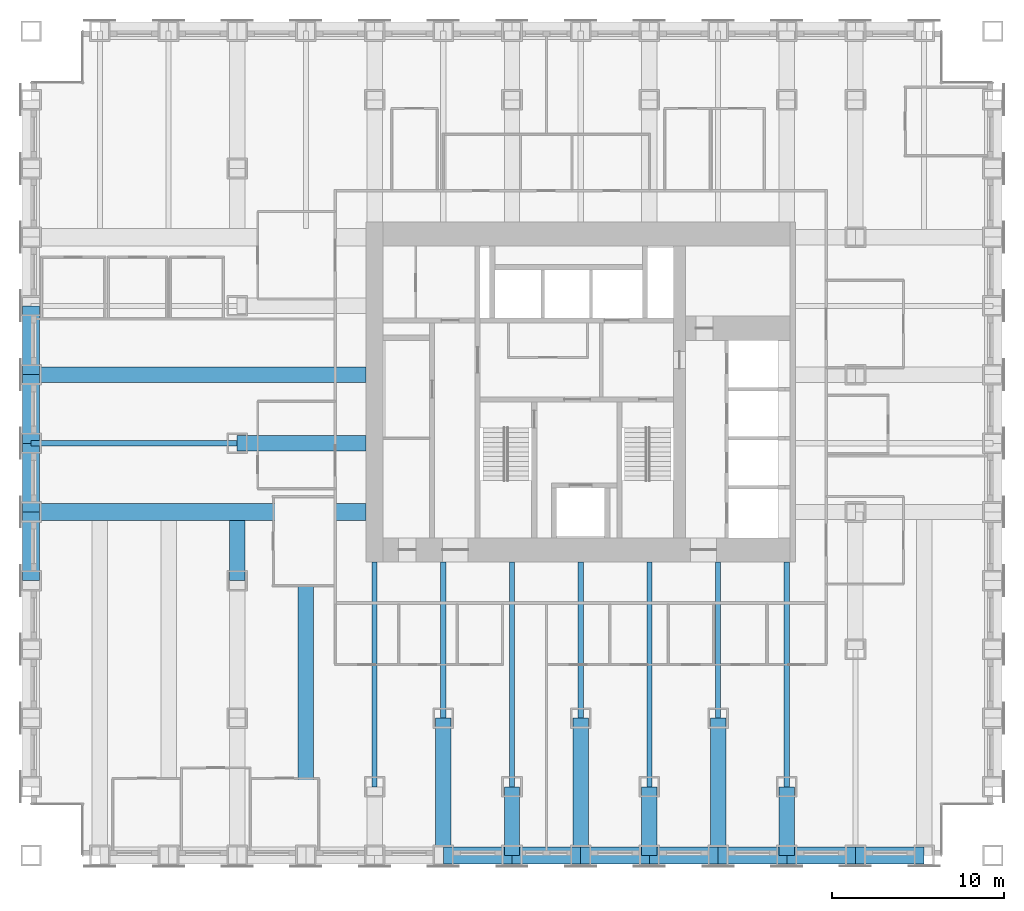
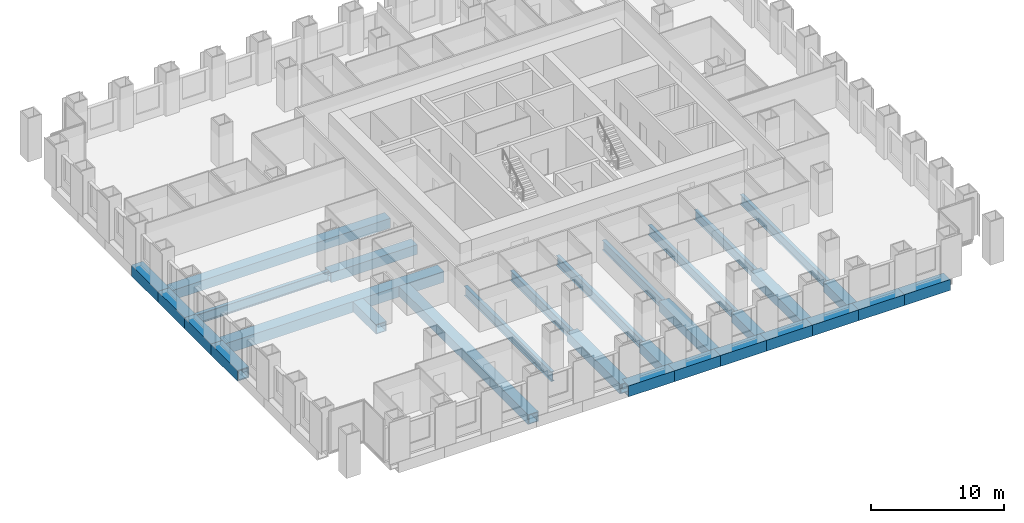
# One storey, part 3 of 14: 30 beams.
"""IFC4 building model written with IfcOpenShell, lengths in metres."""

from ifc_helpers import new_model, si_unit, direction, frame, origin, origin_2d, place, context, subcontext, project, spatial, hollow_rectangle, i_section, extrude, material, material_profile, profile_set, type_object, element, save


model = new_model("IFC4")

# Units and contexts
model_context = context("Model", 3, precision=1e-05, world=origin(), true_north=direction((0.0, 1.0)))
body_context = subcontext(model_context, "Body", "Model", "MODEL_VIEW")
ifc_project = project(units=[si_unit("LENGTHUNIT", "METRE"), si_unit("AREAUNIT", "SQUARE_METRE"), si_unit("VOLUMEUNIT", "CUBIC_METRE"), si_unit("PLANEANGLEUNIT", "RADIAN"), si_unit("MASSUNIT", "GRAM", prefix="KILO")], contexts=[model_context])

# Site, building, storey
site_placement = place(None, origin())
site = spatial("IfcSite", under=ifc_project, at=site_placement, CompositionType="ELEMENT")
building_placement = place(site_placement, origin())
building = spatial("IfcBuilding", under=site, at=building_placement, Name="Rimbunsela Tower", CompositionType="ELEMENT")
storey_placement = place(building_placement, frame((0.0, 0.0, 63.0)))
storey = spatial("IfcBuildingStorey", under=building, at=storey_placement, Name="L15", CompositionType="ELEMENT", Elevation=63.0)

# Beams
ifc_material_1 = material(Name="Steel BJ 55 (fy 410 MPa)", Category="steel")
ifc_material_profile_1 = material_profile(ifc_material_1, hollow_rectangle(XDim=1.0, YDim=1.0, WallThickness=0.10009765625, at=origin_2d()), Name="BOX 1000x1000x100")
ifc_profile_set_1 = profile_set([ifc_material_profile_1], Name="Steel BJ 55 (fy 410 MPa)")
beam_type_1 = type_object("IfcBeamType", Name="Beam BOX 1000x1000x100", PredefinedType="BEAM", material=ifc_profile_set_1)
for number, where, z_axis, x_axis, name in (
    (1, (-2.0, 16.0, -0.64990234375), (0.0, 1.0, 0.0), (-1.0, 0.0, 0.0), "Beam B3 L15"),
    (2, (-2.0, 20.0, -0.64990234375), (0.0, 1.0, 0.0), (-1.0, 0.0, 0.0), "Beam B3 L15"),
):
    element("IfcBeam", number, at=place(storey_placement, frame(where, z_axis=z_axis, x_axis=x_axis)), inside=storey, type_object=beam_type_1, Name=name, PredefinedType="BEAM", context=body_context, shape_type="SweptSolid", body=[
        extrude(hollow_rectangle(XDim=1.0, YDim=1.0, WallThickness=0.10009765625, at=origin_2d()), origin(), (0.0, 0.0, 1.0), 4.0),
    ])
beam_1_placement = place(storey_placement, frame((-2.0, 20.0, -0.64990234375), z_axis=(1.0, 0.0, 0.0), x_axis=(0.0, 1.0, 0.0)))
element("IfcBeam", 3, at=beam_1_placement, inside=storey, type_object=beam_type_1, Name="Beam B3 L15", PredefinedType="BEAM", context=body_context, shape_type="SweptSolid", body=[
    extrude(hollow_rectangle(XDim=1.0, YDim=1.0, WallThickness=0.10009765625, at=origin_2d()), origin(), (0.0, 0.0, 1.0), 19.5),
])
for number, where, z_axis, x_axis, name in (
    (4, (-2.0, 24.0, -0.64990234375), (0.0, 1.0, 0.0), (-1.0, 0.0, 0.0), "Beam B3 L15"),
    (5, (-2.0, 28.0, -0.64990234375), (0.0, 1.0, 0.0), (-1.0, 0.0, 0.0), "Beam B3 L15"),
    (6, (22.0, 0.0, -0.64990234375), (1.0, 0.0, 0.0), (0.0, 1.0, 0.0), "Beam B3 L15"),
    (7, (26.0, 0.0, -0.64990234375), (1.0, 0.0, 0.0), (0.0, 1.0, 0.0), "Beam B3 L15"),
    (8, (30.0, 0.0, -0.64990234375), (1.0, 0.0, 0.0), (0.0, 1.0, 0.0), "Beam B3 L15"),
    (9, (34.0, 0.0, -0.64990234375), (1.0, 0.0, 0.0), (0.0, 1.0, 0.0), "Beam B3 L15"),
    (10, (38.0, 0.0, -0.64990234375), (1.0, 0.0, 0.0), (0.0, 1.0, 0.0), "Beam B3 L15"),
    (11, (42.0, 0.0, -0.64990234375), (1.0, 0.0, 0.0), (0.0, 1.0, 0.0), "Beam B3 L15"),
    (12, (46.0, 0.0, -0.64990234375), (1.0, 0.0, 0.0), (0.0, 1.0, 0.0), "Beam B3 L15"),
):
    element("IfcBeam", number, at=place(storey_placement, frame(where, z_axis=z_axis, x_axis=x_axis)), inside=storey, type_object=beam_type_1, Name=name, PredefinedType="BEAM", context=body_context, shape_type="SweptSolid", body=[
        extrude(hollow_rectangle(XDim=1.0, YDim=1.0, WallThickness=0.10009765625, at=origin_2d()), origin(), (0.0, 0.0, 1.0), 4.0),
    ])
ifc_material_2 = material(Name="Steel BJ 55 (fy 410 MPa)", Category="steel")
ifc_material_profile_2 = material_profile(ifc_material_2, hollow_rectangle(XDim=0.89990234375, YDim=0.89990234375, WallThickness=0.06005859375, at=origin_2d()), Name="BOX 900x900x60")
ifc_profile_set_2 = profile_set([ifc_material_profile_2], Name="Steel BJ 55 (fy 410 MPa)")
beam_type_2 = type_object("IfcBeamType", Name="Beam BOX 900x900x60", PredefinedType="BEAM", material=ifc_profile_set_2)
beam_2_placement = place(storey_placement, frame((-2.0, 28.0, -0.60009765625), z_axis=(1.0, 0.0, 0.0), x_axis=(0.0, 1.0, 0.0)))
element("IfcBeam", 13, at=beam_2_placement, inside=storey, type_object=beam_type_2, Name="Beam B1 L15", PredefinedType="BEAM", context=body_context, shape_type="SweptSolid", body=[
    extrude(hollow_rectangle(XDim=0.89990234375, YDim=0.89990234375, WallThickness=0.06005859375, at=origin_2d()), origin(), (0.0, 0.0, 1.0), 19.5),
])
beam_3_placement = place(storey_placement, frame((10.0, 16.0, -0.60009765625), z_axis=(0.0, 1.0, 0.0), x_axis=(-1.0, 0.0, 0.0)))
element("IfcBeam", 14, at=beam_3_placement, inside=storey, type_object=beam_type_2, Name="Beam B1 L15", PredefinedType="BEAM", context=body_context, shape_type="SweptSolid", body=[
    extrude(hollow_rectangle(XDim=0.89990234375, YDim=0.89990234375, WallThickness=0.06005859375, at=origin_2d()), origin(), (0.0, 0.0, 1.0), 3.5),
])
beam_4_placement = place(storey_placement, frame((10.0, 24.0, -0.60009765625), z_axis=(1.0, 0.0, 0.0), x_axis=(0.0, 1.0, 0.0)))
element("IfcBeam", 15, at=beam_4_placement, inside=storey, type_object=beam_type_2, Name="Beam B1 L15", PredefinedType="BEAM", context=body_context, shape_type="SweptSolid", body=[
    extrude(hollow_rectangle(XDim=0.89990234375, YDim=0.89990234375, WallThickness=0.06005859375, at=origin_2d()), origin(), (0.0, 0.0, 1.0), 7.5),
])
beam_5_placement = place(storey_placement, frame((14.0, 0.0, -0.60009765625), z_axis=(0.0, 1.0, 0.0), x_axis=(-1.0, 0.0, 0.0)))
element("IfcBeam", 16, at=beam_5_placement, inside=storey, type_object=beam_type_2, Name="Beam B1 L15", PredefinedType="BEAM", context=body_context, shape_type="SweptSolid", body=[
    extrude(hollow_rectangle(XDim=0.89990234375, YDim=0.89990234375, WallThickness=0.06005859375, at=origin_2d()), origin(), (0.0, 0.0, 1.0), 19.5),
])
beam_6_placement = place(storey_placement, frame((22.0, 0.0, -0.60009765625), z_axis=(0.0, 1.0, 0.0), x_axis=(-1.0, 0.0, 0.0)))
element("IfcBeam", 17, at=beam_6_placement, inside=storey, type_object=beam_type_2, Name="Beam B1 L15", PredefinedType="BEAM", context=body_context, shape_type="SweptSolid", body=[
    extrude(hollow_rectangle(XDim=0.89990234375, YDim=0.89990234375, WallThickness=0.06005859375, at=origin_2d()), origin(), (0.0, 0.0, 1.0), 8.0),
])
beam_7_placement = place(storey_placement, frame((26.0, 0.0, -0.60009765625), z_axis=(0.0, 1.0, 0.0), x_axis=(-1.0, 0.0, 0.0)))
element("IfcBeam", 18, at=beam_7_placement, inside=storey, type_object=beam_type_2, Name="Beam B1 L15", PredefinedType="BEAM", context=body_context, shape_type="SweptSolid", body=[
    extrude(hollow_rectangle(XDim=0.89990234375, YDim=0.89990234375, WallThickness=0.06005859375, at=origin_2d()), origin(), (0.0, 0.0, 1.0), 4.0),
])
beam_8_placement = place(storey_placement, frame((30.0, 0.0, -0.60009765625), z_axis=(0.0, 1.0, 0.0), x_axis=(-1.0, 0.0, 0.0)))
element("IfcBeam", 19, at=beam_8_placement, inside=storey, type_object=beam_type_2, Name="Beam B1 L15", PredefinedType="BEAM", context=body_context, shape_type="SweptSolid", body=[
    extrude(hollow_rectangle(XDim=0.89990234375, YDim=0.89990234375, WallThickness=0.06005859375, at=origin_2d()), origin(), (0.0, 0.0, 1.0), 8.0),
])
beam_9_placement = place(storey_placement, frame((34.0, 0.0, -0.60009765625), z_axis=(0.0, 1.0, 0.0), x_axis=(-1.0, 0.0, 0.0)))
element("IfcBeam", 20, at=beam_9_placement, inside=storey, type_object=beam_type_2, Name="Beam B1 L15", PredefinedType="BEAM", context=body_context, shape_type="SweptSolid", body=[
    extrude(hollow_rectangle(XDim=0.89990234375, YDim=0.89990234375, WallThickness=0.06005859375, at=origin_2d()), origin(), (0.0, 0.0, 1.0), 4.0),
])
beam_10_placement = place(storey_placement, frame((38.0, 0.0, -0.60009765625), z_axis=(0.0, 1.0, 0.0), x_axis=(-1.0, 0.0, 0.0)))
element("IfcBeam", 21, at=beam_10_placement, inside=storey, type_object=beam_type_2, Name="Beam B1 L15", PredefinedType="BEAM", context=body_context, shape_type="SweptSolid", body=[
    extrude(hollow_rectangle(XDim=0.89990234375, YDim=0.89990234375, WallThickness=0.06005859375, at=origin_2d()), origin(), (0.0, 0.0, 1.0), 8.0),
])
beam_11_placement = place(storey_placement, frame((42.0, 0.0, -0.60009765625), z_axis=(0.0, 1.0, 0.0), x_axis=(-1.0, 0.0, 0.0)))
element("IfcBeam", 22, at=beam_11_placement, inside=storey, type_object=beam_type_2, Name="Beam B1 L15", PredefinedType="BEAM", context=body_context, shape_type="SweptSolid", body=[
    extrude(hollow_rectangle(XDim=0.89990234375, YDim=0.89990234375, WallThickness=0.06005859375, at=origin_2d()), origin(), (0.0, 0.0, 1.0), 4.0),
])
ifc_material_3 = material(Name="Steel BJ 55 (fy 410 MPa)", Category="steel")
ifc_material_profile_3 = material_profile(ifc_material_3, i_section(OverallWidth=0.300048828125, OverallDepth=0.89990234375, WebThickness=0.01611328125, FlangeThickness=0.028076171875, FilletRadius=0.028076171875, at=origin_2d()), Name="H 900x300x16x28")
ifc_profile_set_3 = profile_set([ifc_material_profile_3], Name="Steel BJ 55 (fy 410 MPa)")
beam_type_3 = type_object("IfcBeamType", Name="Beam H 900x300x16x28", PredefinedType="BEAM", material=ifc_profile_set_3)
beam_12_placement = place(storey_placement, frame((-2.0, 24.0, -0.60009765625), z_axis=(1.0, 0.0, 0.0), x_axis=(0.0, 1.0, 0.0)))
element("IfcBeam", 23, at=beam_12_placement, inside=storey, type_object=beam_type_3, Name="Beam B2 L15", PredefinedType="BEAM", context=body_context, shape_type="SweptSolid", body=[
    extrude(i_section(OverallWidth=0.300048828125, OverallDepth=0.89990234375, WebThickness=0.01611328125, FlangeThickness=0.028076171875, FilletRadius=0.028076171875, at=origin_2d()), origin(), (0.0, 0.0, 1.0), 12.0),
])
beam_13_placement = place(storey_placement, frame((18.0, 4.0, -0.60009765625), z_axis=(0.0, 1.0, 0.0), x_axis=(-1.0, 0.0, 0.0)))
element("IfcBeam", 24, at=beam_13_placement, inside=storey, type_object=beam_type_3, Name="Beam B2 L15", PredefinedType="BEAM", context=body_context, shape_type="SweptSolid", body=[
    extrude(i_section(OverallWidth=0.300048828125, OverallDepth=0.89990234375, WebThickness=0.01611328125, FlangeThickness=0.028076171875, FilletRadius=0.028076171875, at=origin_2d()), origin(), (0.0, 0.0, 1.0), 13.10009765625),
])
beam_14_placement = place(storey_placement, frame((22.0, 8.0, -0.60009765625), z_axis=(0.0, 1.0, 0.0), x_axis=(-1.0, 0.0, 0.0)))
element("IfcBeam", 25, at=beam_14_placement, inside=storey, type_object=beam_type_3, Name="Beam B2 L15", PredefinedType="BEAM", context=body_context, shape_type="SweptSolid", body=[
    extrude(i_section(OverallWidth=0.300048828125, OverallDepth=0.89990234375, WebThickness=0.01611328125, FlangeThickness=0.028076171875, FilletRadius=0.028076171875, at=origin_2d()), origin(), (0.0, 0.0, 1.0), 9.10009765625),
])
beam_15_placement = place(storey_placement, frame((26.0, 4.0, -0.60009765625), z_axis=(0.0, 1.0, 0.0), x_axis=(-1.0, 0.0, 0.0)))
element("IfcBeam", 26, at=beam_15_placement, inside=storey, type_object=beam_type_3, Name="Beam B2 L15", PredefinedType="BEAM", context=body_context, shape_type="SweptSolid", body=[
    extrude(i_section(OverallWidth=0.300048828125, OverallDepth=0.89990234375, WebThickness=0.01611328125, FlangeThickness=0.028076171875, FilletRadius=0.028076171875, at=origin_2d()), origin(), (0.0, 0.0, 1.0), 13.10009765625),
])
beam_16_placement = place(storey_placement, frame((30.0, 8.0, -0.60009765625), z_axis=(0.0, 1.0, 0.0), x_axis=(-1.0, 0.0, 0.0)))
element("IfcBeam", 27, at=beam_16_placement, inside=storey, type_object=beam_type_3, Name="Beam B2 L15", PredefinedType="BEAM", context=body_context, shape_type="SweptSolid", body=[
    extrude(i_section(OverallWidth=0.300048828125, OverallDepth=0.89990234375, WebThickness=0.01611328125, FlangeThickness=0.028076171875, FilletRadius=0.028076171875, at=origin_2d()), origin(), (0.0, 0.0, 1.0), 9.10009765625),
])
beam_17_placement = place(storey_placement, frame((34.0, 4.0, -0.60009765625), z_axis=(0.0, 1.0, 0.0), x_axis=(-1.0, 0.0, 0.0)))
element("IfcBeam", 28, at=beam_17_placement, inside=storey, type_object=beam_type_3, Name="Beam B2 L15", PredefinedType="BEAM", context=body_context, shape_type="SweptSolid", body=[
    extrude(i_section(OverallWidth=0.300048828125, OverallDepth=0.89990234375, WebThickness=0.01611328125, FlangeThickness=0.028076171875, FilletRadius=0.028076171875, at=origin_2d()), origin(), (0.0, 0.0, 1.0), 13.10009765625),
])
beam_18_placement = place(storey_placement, frame((38.0, 8.0, -0.60009765625), z_axis=(0.0, 1.0, 0.0), x_axis=(-1.0, 0.0, 0.0)))
element("IfcBeam", 29, at=beam_18_placement, inside=storey, type_object=beam_type_3, Name="Beam B2 L15", PredefinedType="BEAM", context=body_context, shape_type="SweptSolid", body=[
    extrude(i_section(OverallWidth=0.300048828125, OverallDepth=0.89990234375, WebThickness=0.01611328125, FlangeThickness=0.028076171875, FilletRadius=0.028076171875, at=origin_2d()), origin(), (0.0, 0.0, 1.0), 9.10009765625),
])
beam_19_placement = place(storey_placement, frame((42.0, 4.0, -0.60009765625), z_axis=(0.0, 1.0, 0.0), x_axis=(-1.0, 0.0, 0.0)))
element("IfcBeam", 30, at=beam_19_placement, inside=storey, type_object=beam_type_3, Name="Beam B2 L15", PredefinedType="BEAM", context=body_context, shape_type="SweptSolid", body=[
    extrude(i_section(OverallWidth=0.300048828125, OverallDepth=0.89990234375, WebThickness=0.01611328125, FlangeThickness=0.028076171875, FilletRadius=0.028076171875, at=origin_2d()), origin(), (0.0, 0.0, 1.0), 13.10009765625),
])

save(model, "model.ifc")
